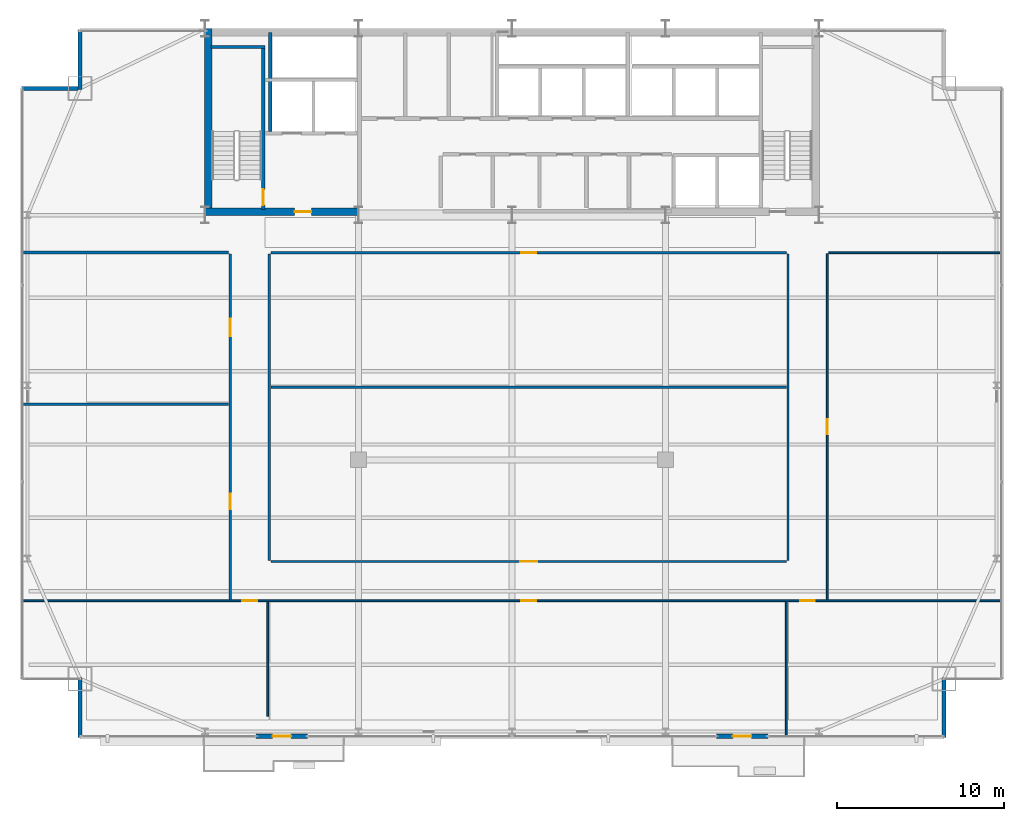
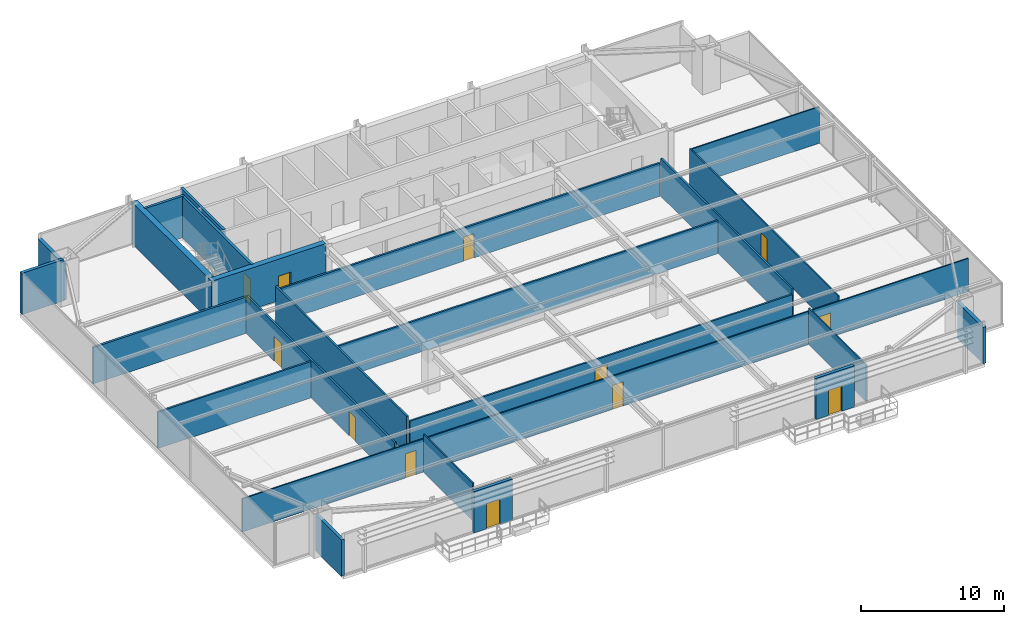
# One storey, part 30 of 34: 24 walls, 12 doors, 12 openings.
"""IFC4 building model written with IfcOpenShell, lengths in metres."""

from ifc_helpers import new_model, si_unit, direction, frame, frame_2d, origin, place, context, subcontext, project, spatial, rectangle, extrude, source, transform, mapped, material, layer, layer_set, type_object, type_shapes, element, fill, save


model = new_model("IFC4")

# Units and contexts
model_context = context("Model", 3, precision=1e-05, world=origin(), true_north=direction((0.0, 1.0)))
body_context = subcontext(model_context, "Body", "Model", "MODEL_VIEW")
ifc_project = project(units=[si_unit("LENGTHUNIT", "METRE"), si_unit("AREAUNIT", "SQUARE_METRE"), si_unit("VOLUMEUNIT", "CUBIC_METRE"), si_unit("PLANEANGLEUNIT", "RADIAN"), si_unit("MASSUNIT", "GRAM", prefix="KILO")], contexts=[model_context])

# Site, building, storey
site_placement = place(None, origin())
site = spatial("IfcSite", under=ifc_project, at=site_placement, CompositionType="ELEMENT")
building_placement = place(site_placement, origin())
building = spatial("IfcBuilding", under=site, at=building_placement, Name="Varnel Quay Broadcast Tower", CompositionType="ELEMENT")
storey_placement = place(building_placement, frame((0.0, 0.0, 110.60009765625)))
storey = spatial("IfcBuildingStorey", under=building, at=storey_placement, Name="L26", CompositionType="ELEMENT", Elevation=110.60009765625)

# Wall, opening, door
ifc_material_1 = material(Name="Concrete CSA A23.3 C50/60", Category="concrete")
ifc_layer_1 = layer(ifc_material_1, 0.199951171875, Name="Concrete CSA A23.3 C50/60")
ifc_layer_set_1 = layer_set([ifc_layer_1], Name="Concrete CSA A23.3 C50/60")
wall_type_1 = type_object("IfcWallType", Name="Wall_CoreShaftShear200", PredefinedType="SHEAR", material=ifc_layer_set_1)
wall_1_placement = place(storey_placement, frame((19.080078125, 35.949951171875, 0.0), z_axis=(0.0, 0.0, 1.0), x_axis=(0.0, 1.0, 0.0)))
wall_1 = element("IfcWall", 1, at=wall_1_placement, inside=storey, type_object=wall_type_1, Name="L26 Stair 1 East Structural Wall", PredefinedType="SHEAR", context=body_context, shape_type="SweptSolid", body=[
    extrude(rectangle(XDim=9.650146484375, YDim=0.199951171875, at=frame_2d((4.8251953125, 0.0))), origin(), (0.0, 0.0, 1.0), 3.5498046875),
])
opening_1_placement = place(wall_1_placement, frame((0.25, 0.0, 0.0)))
opening_1 = element("IfcOpeningElement", 2, at=opening_1_placement, cuts=wall_1, Name="Opening D-L26-S1", PredefinedType="OPENING", context=body_context, shape_type="SweptSolid", body=[
    extrude(rectangle(XDim=0.949951171875, YDim=2.10009765625, at=frame_2d((0.47509765625, 1.050048828125))), frame((0.0, 0.10986328125, 0.0), z_axis=(0.0, -1.0, 0.0), x_axis=(1.0, 0.0, 0.0)), (0.0, 0.0, 1.0), 0.219970703125),
])
ifc_material_2 = material(Name="Insulated Fire-Rated Hollow Steel Door", Category="steel")
door_type_1 = type_object("IfcDoorType", Name="Door_FireStair950", OperationType="NOTDEFINED", PredefinedType="DOOR", material=ifc_material_2)
shared_shape_1 = source(origin(), body_context, "Body", "SweptSolid", [
    extrude(rectangle(XDim=0.949951171875, YDim=2.10009765625, at=frame_2d((0.47509765625, 1.050048828125))), frame((0.0, 0.02490234375, 0.0), z_axis=(0.0, -1.0, 0.0), x_axis=(1.0, 0.0, 0.0)), (0.0, 0.0, 1.0), 0.050048828125),
])
type_shapes(door_type_1, [shared_shape_1])
door_1_placement = place(opening_1_placement, origin())
door_1 = element("IfcDoor", 3, at=door_1_placement, inside=storey, type_object=door_type_1, Name="L26 Stair 1 Fire Door", OperationType="SINGLE_SWING_RIGHT", OverallHeight=2.10009765625, OverallWidth=0.949951171875, PredefinedType="DOOR", context=body_context, shape_type="MappedRepresentation", body=[
    mapped(shared_shape_1, transform((0.0, 0.0, 0.0), x_axis=(1.0, 0.0, 0.0), y_axis=(0.0, 1.0, 0.0), z_axis=(0.0, 0.0, 1.0), scale=1.0)),
])
fill(opening_1, door_1)

# Walls
wall_2_placement = place(storey_placement, frame((15.949951171875, 45.679931640625, 0.0), z_axis=(0.0, 0.0, 1.0), x_axis=(1.0, 0.0, 0.0)))
element("IfcWall", 4, at=wall_2_placement, inside=storey, type_object=wall_type_1, Name="L26 Stair 1 North Structural Wall", PredefinedType="SHEAR", context=body_context, shape_type="SweptSolid", body=[
    extrude(rectangle(XDim=3.22998046875, YDim=0.199951171875, at=frame_2d((1.614990234375, 0.0))), origin(), (0.0, 0.0, 1.0), 3.5498046875),
])
wall_3_placement = place(storey_placement, frame((19.5, 40.60009765625, 0.0), z_axis=(0.0, 0.0, 1.0), x_axis=(0.0, 1.0, 0.0)))
element("IfcWall", 5, at=wall_3_placement, inside=storey, type_object=wall_type_1, Name="L26 Firefighter Lift Shaft West Wall", PredefinedType="SHEAR", context=body_context, shape_type="SweptSolid", body=[
    extrude(rectangle(XDim=5.949951171875, YDim=0.199951171875, at=frame_2d((2.97509765625, 0.0))), origin(), (0.0, 0.0, 1.0), 3.5498046875),
])
ifc_material_3 = material(Name="Concrete CSA A23.3 C60/75", Category="concrete")
ifc_layer_2 = layer(ifc_material_3, 0.449951171875, Name="Concrete CSA A23.3 C60/75")
ifc_layer_set_2 = layer_set([ifc_layer_2], Name="Concrete CSA A23.3 C60/75")
wall_type_2 = type_object("IfcWallType", Name="Wall_CoreShearInt450", PredefinedType="SHEAR", material=ifc_layer_set_2)
wall_4_placement = place(storey_placement, frame((15.794921875, 35.570068359375, 0.0), z_axis=(0.0, 0.0, 1.0), x_axis=(0.0, 1.0, 0.0)))
element("IfcWall", 6, at=wall_4_placement, inside=storey, type_object=wall_type_2, Name="L26 West Core Shear Wall", PredefinedType="SHEAR", context=body_context, shape_type="SweptSolid", body=[
    extrude(rectangle(XDim=11.22998046875, YDim=0.449951171875, at=frame_2d((5.614990234375, 0.0))), origin(), (0.0, 0.0, 1.0), 3.5498046875),
])

# Wall, opening, door
wall_5_placement = place(storey_placement, frame((15.570068359375, 35.794921875, 0.0), z_axis=(0.0, 0.0, 1.0), x_axis=(1.0, 0.0, 0.0)))
wall_5 = element("IfcWall", 7, at=wall_5_placement, inside=storey, type_object=wall_type_2, Name="L26 South-West Core Shear Wall", PredefinedType="SHEAR", context=body_context, shape_type="SweptSolid", body=[
    extrude(rectangle(XDim=9.22998046875, YDim=0.449951171875, at=frame_2d((4.614990234375, 0.0))), origin(), (0.0, 0.0, 1.0), 3.5498046875),
])
opening_2_placement = place(wall_5_placement, frame((5.39990234375, 0.0, 0.0)))
opening_2 = element("IfcOpeningElement", 8, at=opening_2_placement, cuts=wall_5, Name="Opening D-L26-FFL", PredefinedType="OPENING", context=body_context, shape_type="SweptSolid", body=[
    extrude(rectangle(XDim=1.0, YDim=2.10009765625, at=frame_2d((0.5, 1.050048828125))), frame((0.0, 0.23486328125, 0.0), z_axis=(0.0, -1.0, 0.0), x_axis=(1.0, 0.0, 0.0)), (0.0, 0.0, 1.0), 0.469970703125),
])
door_type_2 = type_object("IfcDoorType", Name="Door_FireLobby1000", OperationType="NOTDEFINED", PredefinedType="DOOR", material=ifc_material_2)
shared_shape_2 = source(origin(), body_context, "Body", "SweptSolid", [
    extrude(rectangle(XDim=1.0, YDim=2.10009765625, at=frame_2d((0.5, 1.050048828125))), frame((0.0, 0.02490234375, 0.0), z_axis=(0.0, -1.0, 0.0), x_axis=(1.0, 0.0, 0.0)), (0.0, 0.0, 1.0), 0.050048828125),
])
type_shapes(door_type_2, [shared_shape_2])
door_2_placement = place(opening_2_placement, origin())
door_2 = element("IfcDoor", 9, at=door_2_placement, inside=storey, type_object=door_type_2, Name="L26 Firefighting Lobby Door", OperationType="SINGLE_SWING_LEFT", OverallHeight=2.10009765625, OverallWidth=1.0, PredefinedType="DOOR", context=body_context, shape_type="MappedRepresentation", body=[
    mapped(shared_shape_2, transform((0.0, 0.0, 0.0), x_axis=(1.0, 0.0, 0.0), y_axis=(0.0, 1.0, 0.0), z_axis=(0.0, 0.0, 1.0), scale=1.0)),
])
fill(opening_2, door_2)

ifc_material_4 = material(Name="Precast Architectural Concrete C40/50", Category="concrete")
ifc_layer_3 = layer(ifc_material_4, 0.25, Name="Precast Architectural Concrete C40/50")
ifc_layer_set_3 = layer_set([ifc_layer_3], Name="Precast Architectural Concrete C40/50")
wall_type_3 = type_object("IfcWallType", Name="Wall_ExtTerrace250", PredefinedType="SOLIDWALL", material=ifc_layer_set_3)
wall_6_placement = place(storey_placement, frame((18.64990234375, 4.35009765625, 0.0), z_axis=(0.0, 0.0, 1.0), x_axis=(1.0, 0.0, 0.0)))
wall_6 = element("IfcWall", 10, at=wall_6_placement, inside=storey, type_object=wall_type_3, Name="L26 Terrace Access Wall 1", PredefinedType="SOLIDWALL", context=body_context, shape_type="SweptSolid", body=[
    extrude(rectangle(XDim=3.10009765625, YDim=0.25, at=frame_2d((1.550048828125, 0.0))), origin(), (0.0, 0.0, 1.0), 3.52978515625),
])
opening_3_placement = place(wall_6_placement, frame((1.0, 0.0, 0.0)))
opening_3 = element("IfcOpeningElement", 11, at=opening_3_placement, cuts=wall_6, Name="Opening TD-261", PredefinedType="OPENING", context=body_context, shape_type="SweptSolid", body=[
    extrude(rectangle(XDim=1.10009765625, YDim=2.14990234375, at=frame_2d((0.550048828125, 1.074951171875))), frame((0.0, 0.135009765625, 0.0), z_axis=(0.0, -1.0, 0.0), x_axis=(1.0, 0.0, 0.0)), (0.0, 0.0, 1.0), 0.27001953125),
])
ifc_material_5 = material(Name="Anodised Bronze Aluminium 6063-T6", Category="aluminium")
door_type_3 = type_object("IfcDoorType", Name="Door_ExtTerrace1100", OperationType="NOTDEFINED", PredefinedType="DOOR", material=ifc_material_5)
shared_shape_3 = source(origin(), body_context, "Body", "SweptSolid", [
    extrude(rectangle(XDim=1.10009765625, YDim=2.14990234375, at=frame_2d((0.550048828125, 1.074951171875))), frame((0.0, 0.02490234375, 0.0), z_axis=(0.0, -1.0, 0.0), x_axis=(1.0, 0.0, 0.0)), (0.0, 0.0, 1.0), 0.050048828125),
])
type_shapes(door_type_3, [shared_shape_3])
door_3_placement = place(opening_3_placement, frame((1.10009765625, 0.0, 0.0), z_axis=(0.0, 0.0, 1.0), x_axis=(-1.0, 0.0, 0.0)))
door_3 = element("IfcDoor", 12, at=door_3_placement, inside=storey, type_object=door_type_3, Name="L26 Terrace Door TD-261", OperationType="SINGLE_SWING_LEFT", OverallHeight=2.14990234375, OverallWidth=1.10009765625, PredefinedType="DOOR", context=body_context, shape_type="MappedRepresentation", body=[
    mapped(shared_shape_3, transform((0.0, 0.0, 0.0), x_axis=(1.0, 0.0, 0.0), y_axis=(0.0, 1.0, 0.0), z_axis=(0.0, 0.0, 1.0), scale=1.0)),
])
fill(opening_3, door_3)

wall_7_placement = place(storey_placement, frame((46.25, 4.35009765625, 0.0), z_axis=(0.0, 0.0, 1.0), x_axis=(1.0, 0.0, 0.0)))
wall_7 = element("IfcWall", 13, at=wall_7_placement, inside=storey, type_object=wall_type_3, Name="L26 Terrace Access Wall 2", PredefinedType="SOLIDWALL", context=body_context, shape_type="SweptSolid", body=[
    extrude(rectangle(XDim=3.10009765625, YDim=0.25, at=frame_2d((1.550048828125, 0.0))), origin(), (0.0, 0.0, 1.0), 3.52978515625),
])
opening_4_placement = place(wall_7_placement, frame((1.0, 0.0, 0.0)))
opening_4 = element("IfcOpeningElement", 14, at=opening_4_placement, cuts=wall_7, Name="Opening TD-262", PredefinedType="OPENING", context=body_context, shape_type="SweptSolid", body=[
    extrude(rectangle(XDim=1.10009765625, YDim=2.14990234375, at=frame_2d((0.550048828125, 1.074951171875))), frame((0.0, 0.135009765625, 0.0), z_axis=(0.0, -1.0, 0.0), x_axis=(1.0, 0.0, 0.0)), (0.0, 0.0, 1.0), 0.27001953125),
])
door_4_placement = place(opening_4_placement, frame((1.10009765625, 0.0, 0.0), z_axis=(0.0, 0.0, 1.0), x_axis=(-1.0, 0.0, 0.0)))
door_4 = element("IfcDoor", 15, at=door_4_placement, inside=storey, type_object=door_type_3, Name="L26 Terrace Door TD-262", OperationType="SINGLE_SWING_RIGHT", OverallHeight=2.14990234375, OverallWidth=1.10009765625, PredefinedType="DOOR", context=body_context, shape_type="MappedRepresentation", body=[
    mapped(shared_shape_3, transform((0.0, 0.0, 0.0), x_axis=(1.0, 0.0, 0.0), y_axis=(0.0, 1.0, 0.0), z_axis=(0.0, 0.0, 1.0), scale=1.0)),
])
fill(opening_4, door_4)

# Walls
for number, where, z_axis, x_axis, name in (
    (16, (8.10009765625, 4.280029296875, 0.0), (0.0, 0.0, 1.0), (0.0, 1.0, 0.0), "L26 Mega-Column Notch Cladding Wall NSW2"),
    (17, (59.89990234375, 4.280029296875, 0.0), (0.0, 0.0, 1.0), (0.0, 1.0, 0.0), "L26 Mega-Column Notch Cladding Wall NSE2"),
):
    element("IfcWall", number, at=place(storey_placement, frame(where, z_axis=z_axis, x_axis=x_axis)), inside=storey, type_object=wall_type_3, Name=name, PredefinedType="SOLIDWALL", context=body_context, shape_type="SweptSolid", body=[
        extrude(rectangle(XDim=3.599853515625, YDim=0.25, at=frame_2d((1.7998046875, 0.0))), origin(), (0.0, 0.0, 1.0), 3.10791015625),
    ])
wall_8_placement = place(storey_placement, frame((4.580078125, 43.199951171875, 0.0), z_axis=(0.0, 0.0, 1.0), x_axis=(1.0, 0.0, 0.0)))
element("IfcWall", 18, at=wall_8_placement, inside=storey, type_object=wall_type_3, Name="L26 Mega-Column Notch Cladding Wall NNW1", PredefinedType="SOLIDWALL", context=body_context, shape_type="SweptSolid", body=[
    extrude(rectangle(XDim=3.389892578125, YDim=0.25, at=frame_2d((1.69482421875, 0.0))), origin(), (0.0, 0.0, 1.0), 3.52978515625),
])
wall_9_placement = place(storey_placement, frame((8.10009765625, 43.1201171875, 0.0), z_axis=(0.0, 0.0, 1.0), x_axis=(0.0, 1.0, 0.0)))
element("IfcWall", 19, at=wall_9_placement, inside=storey, type_object=wall_type_3, Name="L26 Mega-Column Notch Cladding Wall NNW2", PredefinedType="SOLIDWALL", context=body_context, shape_type="SweptSolid", body=[
    extrude(rectangle(XDim=3.599853515625, YDim=0.25, at=frame_2d((1.7998046875, 0.0))), origin(), (0.0, 0.0, 1.0), 3.10791015625),
])
ifc_material_6 = material(Name="Steel-Stud Fire-Rated Acoustic Gypsum Partition Assembly", Category="steel")
ifc_layer_4 = layer(ifc_material_6, 0.10498046875, Name="Steel-Stud Fire-Rated Acoustic Gypsum Partition Assembly")
ifc_layer_set_4 = layer_set([ifc_layer_4], Name="Steel-Stud Fire-Rated Acoustic Gypsum Partition Assembly")
wall_type_4 = type_object("IfcWallType", Name="Wall_Partition105", PredefinedType="PARTITIONING", material=ifc_layer_set_4)
wall_10_placement = place(storey_placement, frame((19.35009765625, 5.550048828125, 0.0), z_axis=(0.0, 0.0, 1.0), x_axis=(0.0, 1.0, 0.0)))
element("IfcWall", 20, at=wall_10_placement, inside=storey, type_object=wall_type_4, Name="L26 Media Tape Archive Store 1 Partition 8", PredefinedType="PARTITIONING", context=body_context, shape_type="SweptSolid", body=[
    extrude(rectangle(XDim=6.8779296875, YDim=0.10498046875, at=frame_2d((3.43896484375, 0.0))), origin(), (0.0, 0.0, 1.0), 3.221923828125),
])

# Wall, openings, doors
wall_11_placement = place(storey_placement, frame((4.679931640625, 12.47998046875, 0.0), z_axis=(0.0, 0.0, 1.0), x_axis=(1.0, 0.0, 0.0)))
wall_11 = element("IfcWall", 21, at=wall_11_placement, inside=storey, type_object=wall_type_4, Name="L26 Media Tape Archive Store 1 Partition 9", PredefinedType="PARTITIONING", context=body_context, shape_type="SweptSolid", body=[
    extrude(rectangle(XDim=58.64013671875, YDim=0.10498046875, at=frame_2d((29.320068359375, 0.0))), origin(), (0.0, 0.0, 1.0), 2.829833984375),
])
opening_5_placement = place(wall_11_placement, frame((13.155029296875, 0.0, 0.0)))
opening_5 = element("IfcOpeningElement", 22, at=opening_5_placement, cuts=wall_11, Name="Opening D-L26-06", PredefinedType="OPENING", context=body_context, shape_type="SweptSolid", body=[
    extrude(rectangle(XDim=0.8798828125, YDim=2.06005859375, at=frame_2d((0.43994140625, 1.030029296875))), frame((0.0, 0.0625, 0.0), z_axis=(0.0, -1.0, 0.0), x_axis=(1.0, 0.0, 0.0)), (0.0, 0.0, 1.0), 0.125),
])
opening_6_placement = place(wall_11_placement, frame((29.8798828125, 0.0, 0.0)))
opening_6 = element("IfcOpeningElement", 23, at=opening_6_placement, cuts=wall_11, Name="Opening D-L26-07", PredefinedType="OPENING", context=body_context, shape_type="SweptSolid", body=[
    extrude(rectangle(XDim=0.8798828125, YDim=2.06005859375, at=frame_2d((0.43994140625, 1.030029296875))), frame((0.0, 0.0625, 0.0), z_axis=(0.0, -1.0, 0.0), x_axis=(1.0, 0.0, 0.0)), (0.0, 0.0, 1.0), 0.125),
])
opening_7_placement = place(wall_11_placement, frame((46.60498046875, 0.0, 0.0)))
opening_7 = element("IfcOpeningElement", 24, at=opening_7_placement, cuts=wall_11, Name="Opening D-L26-08", PredefinedType="OPENING", context=body_context, shape_type="SweptSolid", body=[
    extrude(rectangle(XDim=0.8798828125, YDim=2.06005859375, at=frame_2d((0.43994140625, 1.030029296875))), frame((0.0, 0.0625, 0.0), z_axis=(0.0, -1.0, 0.0), x_axis=(1.0, 0.0, 0.0)), (0.0, 0.0, 1.0), 0.125),
])
ifc_material_7 = material(Name="Solid-Core Fire-Rated Acoustic Oak Veneer Door", Category="wood")
door_type_4 = type_object("IfcDoorType", Name="Door_Booth880", OperationType="NOTDEFINED", PredefinedType="DOOR", material=ifc_material_7)
shared_shape_4 = source(origin(), body_context, "Body", "SweptSolid", [
    extrude(rectangle(XDim=0.8798828125, YDim=2.06005859375, at=frame_2d((0.43994140625, 1.030029296875))), frame((0.0, 0.02490234375, 0.0), z_axis=(0.0, -1.0, 0.0), x_axis=(1.0, 0.0, 0.0)), (0.0, 0.0, 1.0), 0.050048828125),
])
type_shapes(door_type_4, [shared_shape_4])
door_5_placement = place(opening_5_placement, frame((0.8798828125, 0.0, 0.0), z_axis=(0.0, 0.0, 1.0), x_axis=(-1.0, 0.0, 0.0)))
door_5 = element("IfcDoor", 25, at=door_5_placement, inside=storey, type_object=door_type_4, Name="L26 Media Tape Archive Store 1 Door D-L26-06", OperationType="SINGLE_SWING_LEFT", OverallHeight=2.06005859375, OverallWidth=0.8798828125, PredefinedType="DOOR", context=body_context, shape_type="MappedRepresentation", body=[
    mapped(shared_shape_4, transform((0.0, 0.0, 0.0), x_axis=(1.0, 0.0, 0.0), y_axis=(0.0, 1.0, 0.0), z_axis=(0.0, 0.0, 1.0), scale=1.0)),
])
fill(opening_5, door_5)
door_6_placement = place(opening_6_placement, frame((0.8798828125, 0.0, 0.0), z_axis=(0.0, 0.0, 1.0), x_axis=(-1.0, 0.0, 0.0)))
door_6 = element("IfcDoor", 26, at=door_6_placement, inside=storey, type_object=door_type_4, Name="L26 Lens & Rigging Store 2 Door D-L26-07", OperationType="SINGLE_SWING_RIGHT", OverallHeight=2.06005859375, OverallWidth=0.8798828125, PredefinedType="DOOR", context=body_context, shape_type="MappedRepresentation", body=[
    mapped(shared_shape_4, transform((0.0, 0.0, 0.0), x_axis=(1.0, 0.0, 0.0), y_axis=(0.0, 1.0, 0.0), z_axis=(0.0, 0.0, 1.0), scale=1.0)),
])
fill(opening_6, door_6)
door_7_placement = place(opening_7_placement, frame((0.8798828125, 0.0, 0.0), z_axis=(0.0, 0.0, 1.0), x_axis=(-1.0, 0.0, 0.0)))
door_7 = element("IfcDoor", 27, at=door_7_placement, inside=storey, type_object=door_type_4, Name="L26 Ingest Vault Store 3 Door D-L26-08", OperationType="SINGLE_SWING_LEFT", OverallHeight=2.06005859375, OverallWidth=0.8798828125, PredefinedType="DOOR", context=body_context, shape_type="MappedRepresentation", body=[
    mapped(shared_shape_4, transform((0.0, 0.0, 0.0), x_axis=(1.0, 0.0, 0.0), y_axis=(0.0, 1.0, 0.0), z_axis=(0.0, 0.0, 1.0), scale=1.0)),
])
fill(opening_7, door_7)

# Walls
wall_12_placement = place(storey_placement, frame((50.449951171875, 4.3798828125, 0.0), z_axis=(0.0, 0.0, 1.0), x_axis=(0.0, 1.0, 0.0)))
element("IfcWall", 28, at=wall_12_placement, inside=storey, type_object=wall_type_4, Name="L26 Lens & Rigging Store 2 Partition 10", PredefinedType="PARTITIONING", context=body_context, shape_type="SweptSolid", body=[
    extrude(rectangle(XDim=8.048095703125, YDim=0.10498046875, at=frame_2d((4.02392578125, 0.0))), origin(), (0.0, 0.0, 1.0), 3.10791015625),
])
wall_13_placement = place(storey_placement, frame((53.0, 33.35009765625, 0.0), z_axis=(0.0, 0.0, 1.0), x_axis=(1.0, 0.0, 0.0)))
element("IfcWall", 29, at=wall_13_placement, inside=storey, type_object=wall_type_4, Name="L26 Media Tape Archive Store 8 Partition 19", PredefinedType="PARTITIONING", context=body_context, shape_type="SweptSolid", body=[
    extrude(rectangle(XDim=10.320068359375, YDim=0.10498046875, at=frame_2d((5.16015625, 0.0))), origin(), (0.0, 0.0, 1.0), 3.10791015625),
])

# Wall, opening, door
wall_14_placement = place(storey_placement, frame((52.89990234375, 12.532958984375, 0.0), z_axis=(0.0, 0.0, 1.0), x_axis=(0.0, 1.0, 0.0)))
wall_14 = element("IfcWall", 30, at=wall_14_placement, inside=storey, type_object=wall_type_4, Name="L26 Media Tape Archive Store 8 Partition 20", PredefinedType="PARTITIONING", context=body_context, shape_type="SweptSolid", body=[
    extrude(rectangle(XDim=20.76416015625, YDim=0.10498046875, at=frame_2d((10.382080078125, 0.0))), origin(), (0.0, 0.0, 1.0), 3.221923828125),
])
opening_8_placement = place(wall_14_placement, frame((9.94189453125, 0.0, 0.0)))
opening_8 = element("IfcOpeningElement", 31, at=opening_8_placement, cuts=wall_14, Name="Opening D-L26-13", PredefinedType="OPENING", context=body_context, shape_type="SweptSolid", body=[
    extrude(rectangle(XDim=0.8798828125, YDim=2.06005859375, at=frame_2d((0.43994140625, 1.030029296875))), frame((0.0, 0.0625, 0.0), z_axis=(0.0, -1.0, 0.0), x_axis=(1.0, 0.0, 0.0)), (0.0, 0.0, 1.0), 0.125),
])
door_8_placement = place(opening_8_placement, frame((0.8798828125, 0.0, 0.0), z_axis=(0.0, 0.0, 1.0), x_axis=(-1.0, 0.0, 0.0)))
door_8 = element("IfcDoor", 32, at=door_8_placement, inside=storey, type_object=door_type_4, Name="L26 Media Tape Archive Store 8 Door D-L26-13", OperationType="SINGLE_SWING_RIGHT", OverallHeight=2.06005859375, OverallWidth=0.8798828125, PredefinedType="DOOR", context=body_context, shape_type="MappedRepresentation", body=[
    mapped(shared_shape_4, transform((0.0, 0.0, 0.0), x_axis=(1.0, 0.0, 0.0), y_axis=(0.0, 1.0, 0.0), z_axis=(0.0, 0.0, 1.0), scale=1.0)),
])
fill(opening_8, door_8)

ifc_layer_5 = layer(ifc_material_6, 0.139892578125, Name="Steel-Stud Fire-Rated Acoustic Gypsum Partition Assembly")
ifc_layer_set_5 = layer_set([ifc_layer_5], Name="Steel-Stud Fire-Rated Acoustic Gypsum Partition Assembly")
wall_type_5 = type_object("IfcWallType", Name="Wall_Partition140", PredefinedType="PARTITIONING", material=ifc_layer_set_5)
wall_15_placement = place(storey_placement, frame((19.550048828125, 14.830078125, 0.0), z_axis=(0.0, 0.0, 1.0), x_axis=(1.0, 0.0, 0.0)))
wall_15 = element("IfcWall", 33, at=wall_15_placement, inside=storey, type_object=wall_type_5, Name="L26 Producer Lounge 6 Partition 14", PredefinedType="PARTITIONING", context=body_context, shape_type="SweptSolid", body=[
    extrude(rectangle(XDim=30.89990234375, YDim=0.139892578125, at=frame_2d((15.449951171875, 0.0))), origin(), (0.0, 0.0, 1.0), 2.829833984375),
])
opening_9_placement = place(wall_15_placement, frame((14.949951171875, 0.0, 0.0)))
opening_9 = element("IfcOpeningElement", 34, at=opening_9_placement, cuts=wall_15, Name="Opening D-L26-11", PredefinedType="OPENING", context=body_context, shape_type="SweptSolid", body=[
    extrude(rectangle(XDim=1.0, YDim=2.10009765625, at=frame_2d((0.5, 1.050048828125))), frame((0.0, 0.080078125, 0.0), z_axis=(0.0, -1.0, 0.0), x_axis=(1.0, 0.0, 0.0)), (0.0, 0.0, 1.0), 0.159912109375),
])
door_type_5 = type_object("IfcDoorType", Name="Door_Exec1000", OperationType="NOTDEFINED", PredefinedType="DOOR", material=ifc_material_7)
shared_shape_5 = source(origin(), body_context, "Body", "SweptSolid", [
    extrude(rectangle(XDim=1.0, YDim=2.10009765625, at=frame_2d((0.5, 1.050048828125))), frame((0.0, 0.02490234375, 0.0), z_axis=(0.0, -1.0, 0.0), x_axis=(1.0, 0.0, 0.0)), (0.0, 0.0, 1.0), 0.050048828125),
])
type_shapes(door_type_5, [shared_shape_5])
door_9_placement = place(opening_9_placement, origin())
door_9 = element("IfcDoor", 35, at=door_9_placement, inside=storey, type_object=door_type_5, Name="L26 Producer Lounge 6 Door D-L26-11", OperationType="SINGLE_SWING_RIGHT", OverallHeight=2.10009765625, OverallWidth=1.0, PredefinedType="DOOR", context=body_context, shape_type="MappedRepresentation", body=[
    mapped(shared_shape_5, transform((0.0, 0.0, 0.0), x_axis=(1.0, 0.0, 0.0), y_axis=(0.0, 1.0, 0.0), z_axis=(0.0, 0.0, 1.0), scale=1.0)),
])
fill(opening_9, door_9)

# Walls
wall_16_placement = place(storey_placement, frame((50.550048828125, 14.89990234375, 0.0), z_axis=(0.0, 0.0, 1.0), x_axis=(0.0, 1.0, 0.0)))
element("IfcWall", 36, at=wall_16_placement, inside=storey, type_object=wall_type_5, Name="L26 Producer Lounge 6 Partition 15", PredefinedType="PARTITIONING", context=body_context, shape_type="SweptSolid", body=[
    extrude(rectangle(XDim=18.375, YDim=0.139892578125, at=frame_2d((9.1875, 0.0))), origin(), (0.0, 0.0, 1.0), 3.221923828125),
])
wall_17_placement = place(storey_placement, frame((19.550048828125, 25.27001953125, 0.0), z_axis=(0.0, 0.0, 1.0), x_axis=(1.0, 0.0, 0.0)))
element("IfcWall", 37, at=wall_17_placement, inside=storey, type_object=wall_type_5, Name="L26 Producer Lounge 6 Partition 16", PredefinedType="PARTITIONING", context=body_context, shape_type="SweptSolid", body=[
    extrude(rectangle(XDim=30.89990234375, YDim=0.139892578125, at=frame_2d((15.449951171875, 0.0))), origin(), (0.0, 0.0, 1.0), 2.829833984375),
])
wall_18_placement = place(storey_placement, frame((19.449951171875, 14.89990234375, 0.0), z_axis=(0.0, 0.0, 1.0), x_axis=(0.0, 1.0, 0.0)))
element("IfcWall", 38, at=wall_18_placement, inside=storey, type_object=wall_type_5, Name="L26 Producer Lounge 6 Partition 17", PredefinedType="PARTITIONING", context=body_context, shape_type="SweptSolid", body=[
    extrude(rectangle(XDim=18.375, YDim=0.139892578125, at=frame_2d((9.1875, 0.0))), origin(), (0.0, 0.0, 1.0), 3.221923828125),
])

# Wall, openings, doors
ifc_layer_6 = layer(ifc_material_6, 0.14990234375, Name="Steel-Stud Fire-Rated Acoustic Gypsum Partition Assembly")
ifc_layer_set_6 = layer_set([ifc_layer_6], Name="Steel-Stud Fire-Rated Acoustic Gypsum Partition Assembly")
wall_type_6 = type_object("IfcWallType", Name="Wall_Partition150", PredefinedType="PARTITIONING", material=ifc_layer_set_6)
wall_19_placement = place(storey_placement, frame((17.10009765625, 12.532958984375, 0.0), z_axis=(0.0, 0.0, 1.0), x_axis=(0.0, 1.0, 0.0)))
wall_19 = element("IfcWall", 39, at=wall_19_placement, inside=storey, type_object=wall_type_6, Name="L26 Color Timing Suite 4 Partition 11", PredefinedType="PARTITIONING", context=body_context, shape_type="SweptSolid", body=[
    extrude(rectangle(XDim=20.72998046875, YDim=0.14990234375, at=frame_2d((10.364990234375, 0.0))), origin(), (0.0, 0.0, 1.0), 3.221923828125),
])
opening_10_placement = place(wall_19_placement, frame((5.427001953125, 0.0, 0.0)))
opening_10 = element("IfcOpeningElement", 40, at=opening_10_placement, cuts=wall_19, Name="Opening D-L26-09", PredefinedType="OPENING", context=body_context, shape_type="SweptSolid", body=[
    extrude(rectangle(XDim=0.919921875, YDim=2.080078125, at=frame_2d((0.4599609375, 1.0400390625))), frame((0.0, 0.0849609375, 0.0), z_axis=(0.0, -1.0, 0.0), x_axis=(1.0, 0.0, 0.0)), (0.0, 0.0, 1.0), 0.169921875),
])
opening_11_placement = place(wall_19_placement, frame((15.797119140625, 0.0, 0.0)))
opening_11 = element("IfcOpeningElement", 41, at=opening_11_placement, cuts=wall_19, Name="Opening D-L26-10", PredefinedType="OPENING", context=body_context, shape_type="SweptSolid", body=[
    extrude(rectangle(XDim=1.050048828125, YDim=2.10009765625, at=frame_2d((0.52490234375, 1.050048828125))), frame((0.0, 0.0849609375, 0.0), z_axis=(0.0, -1.0, 0.0), x_axis=(1.0, 0.0, 0.0)), (0.0, 0.0, 1.0), 0.169921875),
])
door_type_6 = type_object("IfcDoorType", Name="Door_Office920", OperationType="NOTDEFINED", PredefinedType="DOOR", material=ifc_material_7)
shared_shape_6 = source(origin(), body_context, "Body", "SweptSolid", [
    extrude(rectangle(XDim=0.919921875, YDim=2.080078125, at=frame_2d((0.4599609375, 1.0400390625))), frame((0.0, 0.02490234375, 0.0), z_axis=(0.0, -1.0, 0.0), x_axis=(1.0, 0.0, 0.0)), (0.0, 0.0, 1.0), 0.050048828125),
])
type_shapes(door_type_6, [shared_shape_6])
door_10_placement = place(opening_10_placement, origin())
door_10 = element("IfcDoor", 42, at=door_10_placement, inside=storey, type_object=door_type_6, Name="L26 Color Timing Suite 4 Door D-L26-09", OperationType="SINGLE_SWING_RIGHT", OverallHeight=2.080078125, OverallWidth=0.919921875, PredefinedType="DOOR", context=body_context, shape_type="MappedRepresentation", body=[
    mapped(shared_shape_6, transform((0.0, 0.0, 0.0), x_axis=(1.0, 0.0, 0.0), y_axis=(0.0, 1.0, 0.0), z_axis=(0.0, 0.0, 1.0), scale=1.0)),
])
fill(opening_10, door_10)
door_type_7 = type_object("IfcDoorType", Name="Door_Meeting1050", OperationType="NOTDEFINED", PredefinedType="DOOR", material=ifc_material_7)
shared_shape_7 = source(origin(), body_context, "Body", "SweptSolid", [
    extrude(rectangle(XDim=1.050048828125, YDim=2.10009765625, at=frame_2d((0.52490234375, 1.050048828125))), frame((0.0, 0.02490234375, 0.0), z_axis=(0.0, -1.0, 0.0), x_axis=(1.0, 0.0, 0.0)), (0.0, 0.0, 1.0), 0.050048828125),
])
type_shapes(door_type_7, [shared_shape_7])
door_11_placement = place(opening_11_placement, origin())
door_11 = element("IfcDoor", 43, at=door_11_placement, inside=storey, type_object=door_type_7, Name="L26 Screening Meeting Room 5 Door D-L26-10", OperationType="SINGLE_SWING_LEFT", OverallHeight=2.10009765625, OverallWidth=1.050048828125, PredefinedType="DOOR", context=body_context, shape_type="MappedRepresentation", body=[
    mapped(shared_shape_7, transform((0.0, 0.0, 0.0), x_axis=(1.0, 0.0, 0.0), y_axis=(0.0, 1.0, 0.0), z_axis=(0.0, 0.0, 1.0), scale=1.0)),
])
fill(opening_11, door_11)

# Wall
wall_20_placement = place(storey_placement, frame((4.679931640625, 24.260009765625, 0.0), z_axis=(0.0, 0.0, 1.0), x_axis=(1.0, 0.0, 0.0)))
element("IfcWall", 44, at=wall_20_placement, inside=storey, type_object=wall_type_6, Name="L26 Color Timing Suite 4 Partition 12", PredefinedType="PARTITIONING", context=body_context, shape_type="SweptSolid", body=[
    extrude(rectangle(XDim=12.320068359375, YDim=0.14990234375, at=frame_2d((6.16015625, 0.0))), origin(), (0.0, 0.0, 1.0), 3.10791015625),
])

# Wall, opening, door
wall_21_placement = place(storey_placement, frame((19.550048828125, 33.35009765625, 0.0), z_axis=(0.0, 0.0, 1.0), x_axis=(1.0, 0.0, 0.0)))
wall_21 = element("IfcWall", 45, at=wall_21_placement, inside=storey, type_object=wall_type_6, Name="L26 Tea Kitchen 7 Partition 18", PredefinedType="PARTITIONING", context=body_context, shape_type="SweptSolid", body=[
    extrude(rectangle(XDim=30.89990234375, YDim=0.14990234375, at=frame_2d((15.449951171875, 0.0))), origin(), (0.0, 0.0, 1.0), 2.829833984375),
])
opening_12_placement = place(wall_21_placement, frame((15.010009765625, 0.0, 0.0)))
opening_12 = element("IfcOpeningElement", 46, at=opening_12_placement, cuts=wall_21, Name="Opening D-L26-12", PredefinedType="OPENING", context=body_context, shape_type="SweptSolid", body=[
    extrude(rectangle(XDim=0.8798828125, YDim=2.06005859375, at=frame_2d((0.43994140625, 1.030029296875))), frame((0.0, 0.0849609375, 0.0), z_axis=(0.0, -1.0, 0.0), x_axis=(1.0, 0.0, 0.0)), (0.0, 0.0, 1.0), 0.169921875),
])
door_12_placement = place(opening_12_placement, frame((0.8798828125, 0.0, 0.0), z_axis=(0.0, 0.0, 1.0), x_axis=(-1.0, 0.0, 0.0)))
door_12 = element("IfcDoor", 47, at=door_12_placement, inside=storey, type_object=door_type_4, Name="L26 Tea Kitchen 7 Door D-L26-12", OperationType="SINGLE_SWING_LEFT", OverallHeight=2.06005859375, OverallWidth=0.8798828125, PredefinedType="DOOR", context=body_context, shape_type="MappedRepresentation", body=[
    mapped(shared_shape_4, transform((0.0, 0.0, 0.0), x_axis=(1.0, 0.0, 0.0), y_axis=(0.0, 1.0, 0.0), z_axis=(0.0, 0.0, 1.0), scale=1.0)),
])
fill(opening_12, door_12)

# Wall
ifc_layer_7 = layer(ifc_material_6, 0.175048828125, Name="Steel-Stud Fire-Rated Acoustic Gypsum Partition Assembly")
ifc_layer_set_7 = layer_set([ifc_layer_7], Name="Steel-Stud Fire-Rated Acoustic Gypsum Partition Assembly")
wall_type_7 = type_object("IfcWallType", Name="Wall_Partition175", PredefinedType="PARTITIONING", material=ifc_layer_set_7)
wall_22_placement = place(storey_placement, frame((4.679931640625, 33.35009765625, 0.0), z_axis=(0.0, 0.0, 1.0), x_axis=(1.0, 0.0, 0.0)))
element("IfcWall", 48, at=wall_22_placement, inside=storey, type_object=wall_type_7, Name="L26 Screening Meeting Room 5 Partition 13", PredefinedType="PARTITIONING", context=body_context, shape_type="SweptSolid", body=[
    extrude(rectangle(XDim=12.320068359375, YDim=0.175048828125, at=frame_2d((6.16015625, 0.0))), origin(), (0.0, 0.0, 1.0), 3.10791015625),
])

save(model, "model.ifc")
